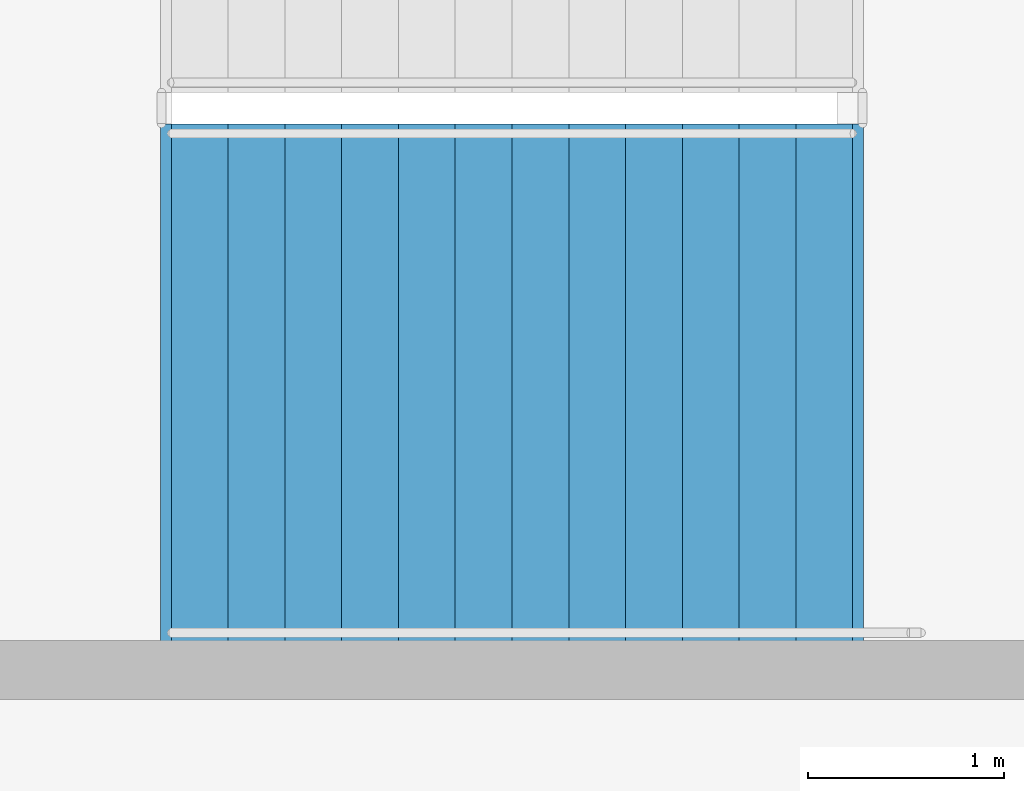
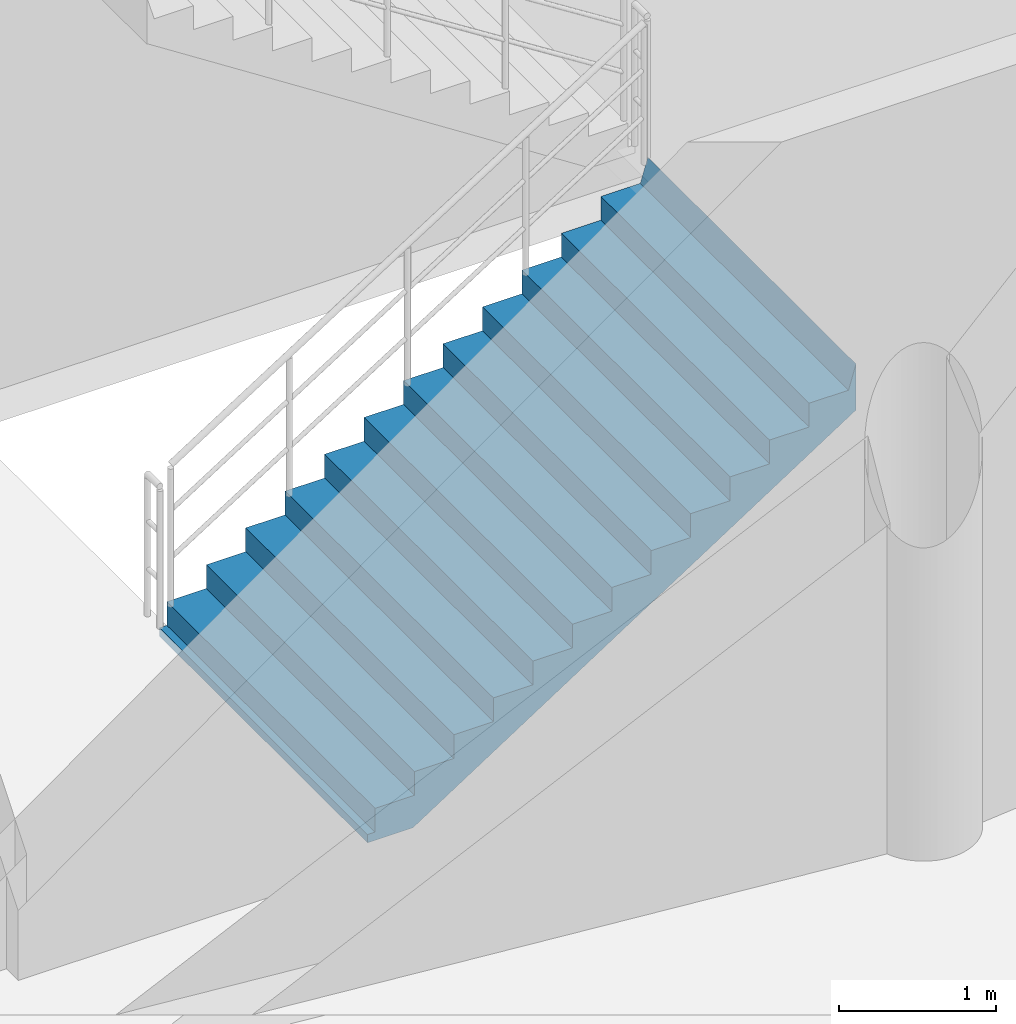
# One storey, part 116 of 144: 1 stair flight, 1 element without a shape of its own.
"""IFC4 building model written with IfcOpenShell, lengths in metres."""

from ifc_helpers import new_model, si_unit, direction, frame, origin, place, context, subcontext, project, spatial, polyline, outline, extrude, material, type_object, element, aggregate, save


model = new_model("IFC4")

# Units and contexts
model_context = context("Model", 3, precision=1e-05, world=origin(), true_north=direction((0.0, 1.0)))
body_context = subcontext(model_context, "Body", "Model", "MODEL_VIEW")
ifc_project = project(units=[si_unit("LENGTHUNIT", "METRE"), si_unit("AREAUNIT", "SQUARE_METRE"), si_unit("VOLUMEUNIT", "CUBIC_METRE"), si_unit("PLANEANGLEUNIT", "RADIAN"), si_unit("MASSUNIT", "GRAM", prefix="KILO")], contexts=[model_context])

# Site, building, storey
site_placement = place(None, origin())
site = spatial("IfcSite", under=ifc_project, at=site_placement, CompositionType="ELEMENT")
building_placement = place(site_placement, origin())
building = spatial("IfcBuilding", under=site, at=building_placement, Name="Cinderbank Siding Concert Hall", CompositionType="ELEMENT")
storey_placement = place(building_placement, frame((0.0, 0.0, 5.39990234375)))
storey = spatial("IfcBuildingStorey", under=building, at=storey_placement, Name="L02", CompositionType="ELEMENT", Elevation=5.39990234375)

# Stair, stair flight
ifc_material = material(Name="Reinforced concrete AS 3600 N50 (50 MPa)", Category="concrete")
stair_type = type_object("IfcStairType", Name="STR-A Dogleg Exit Stair 2650mm", PredefinedType="HALF_TURN_STAIR", material=ifc_material)
stair_placement = place(storey_placement, origin())
stair = element("IfcStair", 1, at=stair_placement, inside=storey, type_object=stair_type, Name="L02 Fire-isolated Exit Stair ST-02", PredefinedType="HALF_TURN_STAIR")
stair_flight_type = type_object("IfcStairFlightType", Name="SFL-A Concrete Stair Flight 2650mm", PredefinedType="STRAIGHT", material=ifc_material)
stair_flight_placement = place(storey_placement, frame((118.949951171875, 25.02490234375, 0.0), z_axis=(0.0, 0.0, 1.0), x_axis=(1.0, 0.0, 0.0)))
stair_flight = element("IfcStairFlight", 2, at=stair_flight_placement, type_object=stair_flight_type, Name="ST-02 flight 1", NumberOfRisers=13, NumberOfTreads=12, PredefinedType="STRAIGHT", RiserHeight=0.184615385, TreadLength=0.29, context=body_context, shape_type="SweptSolid", body=[
    extrude(outline(polyline([(0.0, 0.0), (0.0, 0.1845703125), (0.2900390625, 0.1845703125), (0.2900390625, 0.369140625), (0.580078125, 0.369140625), (0.580078125, 0.553955078125), (0.8701171875, 0.553955078125), (0.8701171875, 0.738525390625), (1.159912109375, 0.738525390625), (1.159912109375, 0.923095703125), (1.449951171875, 0.923095703125), (1.449951171875, 1.107666015625), (1.739990234375, 1.107666015625), (1.739990234375, 1.292236328125), (2.030029296875, 1.292236328125), (2.030029296875, 1.476806640625), (2.320068359375, 1.476806640625), (2.320068359375, 1.66162109375), (2.610107421875, 1.66162109375), (2.610107421875, 1.84619140625), (2.89990234375, 1.84619140625), (2.89990234375, 2.03076171875), (3.18994140625, 2.03076171875), (3.18994140625, 2.21533203125), (3.47998046875, 2.21533203125), (3.534912109375, 2.39990234375), (3.534912109375, 2.03759765625), (3.53466796875, 2.037841796875), (3.53466796875, 2.0380859375), (3.53466796875, 2.038330078125), (3.53466796875, 2.03857421875), (3.53466796875, 2.038818359375), (3.53466796875, 2.0390625), (3.53466796875, 2.039306640625), (3.53466796875, 2.03955078125), (3.53466796875, 2.039794921875), (3.53466796875, 2.0400390625), (3.53466796875, 2.040283203125), (3.53466796875, 2.04052734375), (3.534423828125, 2.04052734375), (3.534423828125, 2.040283203125), (3.534423828125, 2.0400390625), (3.534423828125, 2.039794921875), (3.534423828125, 2.03955078125), (3.534423828125, 2.039306640625), (3.534423828125, 2.0390625), (3.534423828125, 2.038818359375), (3.534423828125, 2.03857421875), (3.534423828125, 2.038330078125), (3.534423828125, 2.0380859375), (3.534423828125, 2.037841796875), (3.534423828125, 2.03759765625), (3.5341796875, 2.037841796875), (3.5341796875, 2.0380859375), (3.5341796875, 2.038330078125), (3.5341796875, 2.03857421875), (3.5341796875, 2.038818359375), (3.5341796875, 2.0390625), (3.5341796875, 2.039306640625), (3.5341796875, 2.03955078125), (3.5341796875, 2.039794921875), (3.5341796875, 2.0400390625), (3.5341796875, 2.040283203125), (3.5341796875, 2.04052734375), (3.533935546875, 2.04052734375), (3.533935546875, 2.040283203125), (3.533935546875, 2.0400390625), (3.533935546875, 2.039794921875), (3.533935546875, 2.03955078125), (3.533935546875, 2.039306640625), (3.533935546875, 2.0390625), (3.533935546875, 2.038818359375), (3.533935546875, 2.03857421875), (3.533935546875, 2.038330078125), (3.533935546875, 2.0380859375), (3.533935546875, 2.037841796875), (3.533935546875, 2.03759765625), (3.53369140625, 2.037841796875), (3.53369140625, 2.0380859375), (3.53369140625, 2.038330078125), (3.53369140625, 2.03857421875), (3.53369140625, 2.038818359375), (3.53369140625, 2.0390625), (3.53369140625, 2.039306640625), (3.53369140625, 2.03955078125), (3.53369140625, 2.039794921875), (3.53369140625, 2.0400390625), (3.53369140625, 2.040283203125), (3.53369140625, 2.04052734375), (3.533447265625, 2.04052734375), (3.533447265625, 2.040283203125), (3.533447265625, 2.0400390625), (3.533447265625, 2.039794921875), (3.533447265625, 2.03955078125), (3.533447265625, 2.039306640625), (3.533447265625, 2.0390625), (3.533447265625, 2.038818359375), (3.533447265625, 2.03857421875), (3.533447265625, 2.038330078125), (3.533447265625, 2.0380859375), (3.533447265625, 2.037841796875), (3.533447265625, 2.03759765625), (3.533203125, 2.037841796875), (3.533203125, 2.0380859375), (3.533203125, 2.038330078125), (3.533203125, 2.03857421875), (3.533203125, 2.038818359375), (3.533203125, 2.0390625), (3.533203125, 2.039306640625), (3.533203125, 2.03955078125), (3.533203125, 2.039794921875), (3.533203125, 2.0400390625), (3.533203125, 2.040283203125), (3.533203125, 2.04052734375), (3.532958984375, 2.04052734375), (3.532958984375, 2.040283203125), (3.532958984375, 2.0400390625), (3.532958984375, 2.039794921875), (3.532958984375, 2.03955078125), (3.532958984375, 2.039306640625), (3.532958984375, 2.0390625), (3.532958984375, 2.038818359375), (3.532958984375, 2.03857421875), (3.532958984375, 2.038330078125), (3.532958984375, 2.0380859375), (3.532958984375, 2.037841796875), (3.532958984375, 2.03759765625), (3.53271484375, 2.037841796875), (3.53271484375, 2.0380859375), (3.53271484375, 2.038330078125), (3.53271484375, 2.03857421875), (3.53271484375, 2.038818359375), (3.53271484375, 2.0390625), (3.53271484375, 2.039306640625), (3.53271484375, 2.03955078125), (3.53271484375, 2.039794921875), (3.53271484375, 2.0400390625), (3.53271484375, 2.040283203125), (3.53271484375, 2.04052734375), (3.532470703125, 2.04052734375), (3.532470703125, 2.040283203125), (3.532470703125, 2.0400390625), (3.532470703125, 2.039794921875), (3.532470703125, 2.03955078125), (3.532470703125, 2.039306640625), (3.532470703125, 2.0390625), (3.532470703125, 2.038818359375), (3.532470703125, 2.03857421875), (3.532470703125, 2.038330078125), (3.532470703125, 2.0380859375), (3.532470703125, 2.037841796875), (3.532470703125, 2.03759765625), (3.5322265625, 2.037841796875), (3.5322265625, 2.0380859375), (3.5322265625, 2.038330078125), (3.5322265625, 2.03857421875), (3.5322265625, 2.038818359375), (3.5322265625, 2.0390625), (3.5322265625, 2.039306640625), (3.5322265625, 2.03955078125), (3.5322265625, 2.039794921875), (3.5322265625, 2.0400390625), (3.5322265625, 2.040283203125), (3.5322265625, 2.04052734375), (3.531982421875, 2.04052734375), (3.531982421875, 2.040283203125), (3.531982421875, 2.0400390625), (3.531982421875, 2.039794921875), (3.531982421875, 2.03955078125), (3.531982421875, 2.039306640625), (3.531982421875, 2.0390625), (3.531982421875, 2.038818359375), (3.531982421875, 2.03857421875), (3.531982421875, 2.038330078125), (3.531982421875, 2.0380859375), (3.531982421875, 2.037841796875), (3.531982421875, 2.03759765625), (3.53173828125, 2.037841796875), (3.53173828125, 2.0380859375), (3.53173828125, 2.038330078125), (3.53173828125, 2.03857421875), (3.53173828125, 2.038818359375), (3.53173828125, 2.0390625), (3.53173828125, 2.039306640625), (3.53173828125, 2.03955078125), (3.53173828125, 2.039794921875), (3.53173828125, 2.0400390625), (3.53173828125, 2.040283203125), (3.53173828125, 2.04052734375), (3.531494140625, 2.04052734375), (3.531494140625, 2.040283203125), (3.531494140625, 2.0400390625), (3.531494140625, 2.039794921875), (3.531494140625, 2.03955078125), (3.531494140625, 2.039306640625), (3.531494140625, 2.0390625), (3.531494140625, 2.038818359375), (3.531494140625, 2.03857421875), (3.531494140625, 2.038330078125), (3.531494140625, 2.0380859375), (3.531494140625, 2.037841796875), (3.531494140625, 2.03759765625), (3.53125, 2.037841796875), (3.53125, 2.0380859375), (3.53125, 2.038330078125), (3.53125, 2.03857421875), (3.53125, 2.038818359375), (3.53125, 2.0390625), (3.53125, 2.039306640625), (3.53125, 2.03955078125), (3.53125, 2.039794921875), (3.53125, 2.0400390625), (3.53125, 2.040283203125), (3.53125, 2.04052734375), (3.531005859375, 2.04052734375), (3.531005859375, 2.040283203125), (3.531005859375, 2.0400390625), (3.531005859375, 2.039794921875), (3.531005859375, 2.03955078125), (3.531005859375, 2.039306640625), (3.531005859375, 2.0390625), (3.531005859375, 2.038818359375), (3.531005859375, 2.03857421875), (3.531005859375, 2.038330078125), (3.531005859375, 2.0380859375), (3.531005859375, 2.037841796875), (3.531005859375, 2.03759765625), (3.53076171875, 2.037841796875), (3.53076171875, 2.0380859375), (3.53076171875, 2.038330078125), (3.53076171875, 2.03857421875), (3.53076171875, 2.038818359375), (3.53076171875, 2.0390625), (3.53076171875, 2.039306640625), (3.53076171875, 2.03955078125), (3.53076171875, 2.039794921875), (3.53076171875, 2.0400390625), (3.53076171875, 2.040283203125), (3.53076171875, 2.04052734375), (3.530517578125, 2.04052734375), (3.530517578125, 2.040283203125), (3.530517578125, 2.0400390625), (3.530517578125, 2.039794921875), (3.530517578125, 2.03955078125), (3.530517578125, 2.039306640625), (3.530517578125, 2.0390625), (3.530517578125, 2.038818359375), (3.530517578125, 2.03857421875), (3.530517578125, 2.038330078125), (3.530517578125, 2.0380859375), (3.530517578125, 2.037841796875), (3.530517578125, 2.03759765625), (3.5302734375, 2.037841796875), (3.5302734375, 2.0380859375), (3.5302734375, 2.038330078125), (3.5302734375, 2.03857421875), (3.5302734375, 2.038818359375), (3.5302734375, 2.0390625), (3.5302734375, 2.039306640625), (3.5302734375, 2.03955078125), (3.5302734375, 2.039794921875), (3.5302734375, 2.0400390625), (3.5302734375, 2.040283203125), (3.5302734375, 2.04052734375), (3.530029296875, 2.04052734375), (3.530029296875, 2.040283203125), (3.530029296875, 2.0400390625), (3.530029296875, 2.039794921875), (3.530029296875, 2.03955078125), (3.530029296875, 2.039306640625), (3.530029296875, 2.0390625), (3.530029296875, 2.038818359375), (3.530029296875, 2.03857421875), (3.530029296875, 2.038330078125), (3.530029296875, 2.0380859375), (3.530029296875, 2.037841796875), (3.530029296875, 2.03759765625), (3.52978515625, 2.037841796875), (3.52978515625, 2.0380859375), (3.52978515625, 2.038330078125), (3.52978515625, 2.03857421875), (3.52978515625, 2.038818359375), (3.52978515625, 2.0390625), (3.52978515625, 2.039306640625), (3.52978515625, 2.03955078125), (3.52978515625, 2.039794921875), (3.52978515625, 2.0400390625), (3.52978515625, 2.040283203125), (3.52978515625, 2.04052734375), (3.529541015625, 2.04052734375), (3.529541015625, 2.040283203125), (3.529541015625, 2.0400390625), (3.529541015625, 2.039794921875), (3.529541015625, 2.03955078125), (3.529541015625, 2.039306640625), (3.529541015625, 2.0390625), (3.529541015625, 2.038818359375), (3.529541015625, 2.03857421875), (3.529541015625, 2.038330078125), (3.529541015625, 2.0380859375), (3.529541015625, 2.037841796875), (3.529541015625, 2.03759765625), (3.529296875, 2.037841796875), (3.529296875, 2.0380859375), (3.529296875, 2.038330078125), (3.529296875, 2.03857421875), (3.529296875, 2.038818359375), (3.529296875, 2.0390625), (3.529296875, 2.039306640625), (3.529296875, 2.03955078125), (3.529296875, 2.039794921875), (3.529296875, 2.0400390625), (3.529296875, 2.040283203125), (3.529296875, 2.04052734375), (3.529052734375, 2.04052734375), (3.529052734375, 2.040283203125), (3.529052734375, 2.0400390625), (3.529052734375, 2.039794921875), (3.529052734375, 2.03955078125), (3.529052734375, 2.039306640625), (3.529052734375, 2.0390625), (3.529052734375, 2.038818359375), (3.529052734375, 2.03857421875), (3.529052734375, 2.038330078125), (3.529052734375, 2.0380859375), (3.529052734375, 2.037841796875), (3.529052734375, 2.03759765625), (3.52880859375, 2.037841796875), (3.52880859375, 2.0380859375), (3.52880859375, 2.038330078125), (3.52880859375, 2.03857421875), (3.52880859375, 2.038818359375), (3.52880859375, 2.0390625), (3.52880859375, 2.039306640625), (3.52880859375, 2.03955078125), (3.52880859375, 2.039794921875), (3.52880859375, 2.0400390625), (3.52880859375, 2.040283203125), (3.52880859375, 2.04052734375), (3.528564453125, 2.04052734375), (3.528564453125, 2.040283203125), (3.528564453125, 2.0400390625), (3.528564453125, 2.039794921875), (3.528564453125, 2.03955078125), (3.528564453125, 2.039306640625), (3.528564453125, 2.0390625), (3.528564453125, 2.038818359375), (3.528564453125, 2.03857421875), (3.528564453125, 2.038330078125), (3.528564453125, 2.0380859375), (3.528564453125, 2.037841796875), (3.528564453125, 2.03759765625), (0.279052734375, -0.06396484375), (-0.048583984375, -0.063720703125), (-0.048583984375, -0.0634765625), (-0.048583984375, -0.063232421875), (-0.048583984375, -0.06298828125), (-0.048583984375, -0.062744140625), (-0.048583984375, -0.0625), (-0.048583984375, -0.062255859375), (-0.048583984375, -0.06201171875), (-0.048583984375, -0.061767578125), (-0.048583984375, -0.0615234375), (-0.048583984375, -0.061279296875), (-0.048583984375, -0.06103515625), (-0.048828125, -0.06103515625), (-0.048828125, -0.061279296875), (-0.048828125, -0.0615234375), (-0.048828125, -0.061767578125), (-0.048828125, -0.06201171875), (-0.048828125, -0.062255859375), (-0.048828125, -0.0625), (-0.048828125, -0.062744140625), (-0.048828125, -0.06298828125), (-0.048828125, -0.063232421875), (-0.048828125, -0.0634765625), (-0.048828125, -0.063720703125), (-0.048828125, -0.06396484375), (-0.049072265625, -0.063720703125), (-0.049072265625, -0.0634765625), (-0.049072265625, -0.063232421875), (-0.049072265625, -0.06298828125), (-0.049072265625, -0.062744140625), (-0.049072265625, -0.0625), (-0.049072265625, -0.062255859375), (-0.049072265625, -0.06201171875), (-0.049072265625, -0.061767578125), (-0.049072265625, -0.0615234375), (-0.049072265625, -0.061279296875), (-0.049072265625, -0.06103515625), (-0.04931640625, -0.06103515625), (-0.04931640625, -0.061279296875), (-0.04931640625, -0.0615234375), (-0.04931640625, -0.061767578125), (-0.04931640625, -0.06201171875), (-0.04931640625, -0.062255859375), (-0.04931640625, -0.0625), (-0.04931640625, -0.062744140625), (-0.04931640625, -0.06298828125), (-0.04931640625, -0.063232421875), (-0.04931640625, -0.0634765625), (-0.04931640625, -0.063720703125), (-0.04931640625, -0.06396484375), (-0.049560546875, -0.063720703125), (-0.049560546875, -0.0634765625), (-0.049560546875, -0.063232421875), (-0.049560546875, -0.06298828125), (-0.049560546875, -0.062744140625), (-0.049560546875, -0.0625), (-0.049560546875, -0.062255859375), (-0.049560546875, -0.06201171875), (-0.049560546875, -0.061767578125), (-0.049560546875, -0.0615234375), (-0.049560546875, -0.061279296875), (-0.049560546875, -0.06103515625), (-0.0498046875, -0.06103515625), (-0.0498046875, -0.061279296875), (-0.0498046875, -0.0615234375), (-0.0498046875, -0.061767578125), (-0.0498046875, -0.06201171875), (-0.0498046875, -0.062255859375), (-0.0498046875, -0.0625), (-0.0498046875, -0.062744140625), (-0.0498046875, -0.06298828125), (-0.0498046875, -0.063232421875), (-0.0498046875, -0.0634765625), (-0.0498046875, -0.063720703125), (-0.0498046875, -0.06396484375), (-0.050048828125, -0.063720703125), (-0.050048828125, -0.0634765625), (-0.050048828125, -0.063232421875), (-0.050048828125, -0.06298828125), (-0.050048828125, -0.062744140625), (-0.050048828125, -0.0625), (-0.050048828125, -0.062255859375), (-0.050048828125, -0.06201171875), (-0.050048828125, -0.061767578125), (-0.050048828125, -0.0615234375), (-0.050048828125, -0.061279296875), (-0.050048828125, -0.06103515625), (-0.05029296875, -0.06103515625), (-0.05029296875, -0.061279296875), (-0.05029296875, -0.0615234375), (-0.05029296875, -0.061767578125), (-0.05029296875, -0.06201171875), (-0.05029296875, -0.062255859375), (-0.05029296875, -0.0625), (-0.05029296875, -0.062744140625), (-0.05029296875, -0.06298828125), (-0.05029296875, -0.063232421875), (-0.05029296875, -0.0634765625), (-0.05029296875, -0.063720703125), (-0.05029296875, -0.06396484375), (-0.050537109375, -0.063720703125), (-0.050537109375, -0.0634765625), (-0.050537109375, -0.063232421875), (-0.050537109375, -0.06298828125), (-0.050537109375, -0.062744140625), (-0.050537109375, -0.0625), (-0.050537109375, -0.062255859375), (-0.050537109375, -0.06201171875), (-0.050537109375, -0.061767578125), (-0.050537109375, -0.0615234375), (-0.050537109375, -0.061279296875), (-0.050537109375, -0.06103515625), (-0.05078125, -0.06103515625), (-0.05078125, -0.061279296875), (-0.05078125, -0.0615234375), (-0.05078125, -0.061767578125), (-0.05078125, -0.06201171875), (-0.05078125, -0.062255859375), (-0.05078125, -0.0625), (-0.05078125, -0.062744140625), (-0.05078125, -0.06298828125), (-0.05078125, -0.063232421875), (-0.05078125, -0.0634765625), (-0.05078125, -0.063720703125), (-0.05078125, -0.06396484375), (-0.051025390625, -0.063720703125), (-0.051025390625, -0.0634765625), (-0.051025390625, -0.063232421875), (-0.051025390625, -0.06298828125), (-0.051025390625, -0.062744140625), (-0.051025390625, -0.0625), (-0.051025390625, -0.062255859375), (-0.051025390625, -0.06201171875), (-0.051025390625, -0.061767578125), (-0.051025390625, -0.0615234375), (-0.051025390625, -0.061279296875), (-0.051025390625, -0.06103515625), (-0.05126953125, -0.06103515625), (-0.05126953125, -0.061279296875), (-0.05126953125, -0.0615234375), (-0.05126953125, -0.061767578125), (-0.05126953125, -0.06201171875), (-0.05126953125, -0.062255859375), (-0.05126953125, -0.0625), (-0.05126953125, -0.062744140625), (-0.05126953125, -0.06298828125), (-0.05126953125, -0.063232421875), (-0.05126953125, -0.0634765625), (-0.05126953125, -0.063720703125), (-0.05126953125, -0.06396484375), (-0.051513671875, -0.063720703125), (-0.051513671875, -0.0634765625), (-0.051513671875, -0.063232421875), (-0.051513671875, -0.06298828125), (-0.051513671875, -0.062744140625), (-0.051513671875, -0.0625), (-0.051513671875, -0.062255859375), (-0.051513671875, -0.06201171875), (-0.051513671875, -0.061767578125), (-0.051513671875, -0.0615234375), (-0.051513671875, -0.061279296875), (-0.051513671875, -0.06103515625), (-0.0517578125, -0.06103515625), (-0.0517578125, -0.061279296875), (-0.0517578125, -0.0615234375), (-0.0517578125, -0.061767578125), (-0.0517578125, -0.06201171875), (-0.0517578125, -0.062255859375), (-0.0517578125, -0.0625), (-0.0517578125, -0.062744140625), (-0.0517578125, -0.06298828125), (-0.0517578125, -0.063232421875), (-0.0517578125, -0.0634765625), (-0.0517578125, -0.063720703125), (-0.0517578125, -0.06396484375), (-0.052001953125, -0.063720703125), (-0.052001953125, -0.0634765625), (-0.052001953125, -0.063232421875), (-0.052001953125, -0.06298828125), (-0.052001953125, -0.062744140625), (-0.052001953125, -0.0625), (-0.052001953125, -0.062255859375), (-0.052001953125, -0.06201171875), (-0.052001953125, -0.061767578125), (-0.052001953125, -0.0615234375), (-0.052001953125, -0.061279296875), (-0.052001953125, -0.06103515625), (-0.05224609375, -0.06103515625), (-0.05224609375, -0.061279296875), (-0.05224609375, -0.0615234375), (-0.05224609375, -0.061767578125), (-0.05224609375, -0.06201171875), (-0.05224609375, -0.062255859375), (-0.05224609375, -0.0625), (-0.05224609375, -0.062744140625), (-0.05224609375, -0.06298828125), (-0.05224609375, -0.063232421875), (-0.05224609375, -0.0634765625), (-0.05224609375, -0.063720703125), (-0.05224609375, -0.06396484375), (-0.052490234375, -0.063720703125), (-0.052490234375, -0.0634765625), (-0.052490234375, -0.063232421875), (-0.052490234375, -0.06298828125), (-0.052490234375, -0.062744140625), (-0.052490234375, -0.0625), (-0.052490234375, -0.062255859375), (-0.052490234375, -0.06201171875), (-0.052490234375, -0.061767578125), (-0.052490234375, -0.0615234375), (-0.052490234375, -0.061279296875), (-0.052490234375, -0.06103515625), (-0.052734375, -0.06103515625), (-0.052734375, -0.061279296875), (-0.052734375, -0.0615234375), (-0.052734375, -0.061767578125), (-0.052734375, -0.06201171875), (-0.052734375, -0.062255859375), (-0.052734375, -0.0625), (-0.052734375, -0.062744140625), (-0.052734375, -0.06298828125), (-0.052734375, -0.063232421875), (-0.052734375, -0.0634765625), (-0.052734375, -0.063720703125), (-0.052734375, -0.06396484375), (-0.052978515625, -0.063720703125), (-0.052978515625, -0.0634765625), (-0.052978515625, -0.063232421875), (-0.052978515625, -0.06298828125), (-0.052978515625, -0.062744140625), (-0.052978515625, -0.0625), (-0.052978515625, -0.062255859375), (-0.052978515625, -0.06201171875), (-0.052978515625, -0.061767578125), (-0.052978515625, -0.0615234375), (-0.052978515625, -0.061279296875), (-0.052978515625, -0.06103515625), (-0.05322265625, -0.06103515625), (-0.05322265625, -0.061279296875), (-0.05322265625, -0.0615234375), (-0.05322265625, -0.061767578125), (-0.05322265625, -0.06201171875), (-0.05322265625, -0.062255859375), (-0.05322265625, -0.0625), (-0.05322265625, -0.062744140625), (-0.05322265625, -0.06298828125), (-0.05322265625, -0.063232421875), (-0.05322265625, -0.0634765625), (-0.05322265625, -0.063720703125), (-0.05322265625, -0.06396484375), (-0.053466796875, -0.063720703125), (-0.053466796875, -0.0634765625), (-0.053466796875, -0.063232421875), (-0.053466796875, -0.06298828125), (-0.053466796875, -0.062744140625), (-0.053466796875, -0.0625), (-0.053466796875, -0.062255859375), (-0.053466796875, -0.06201171875), (-0.053466796875, -0.061767578125), (-0.053466796875, -0.0615234375), (-0.053466796875, -0.061279296875), (-0.053466796875, -0.06103515625), (-0.0537109375, -0.06103515625), (-0.0537109375, -0.061279296875), (-0.0537109375, -0.0615234375), (-0.0537109375, -0.061767578125), (-0.0537109375, -0.06201171875), (-0.0537109375, -0.062255859375), (-0.0537109375, -0.0625), (-0.0537109375, -0.062744140625), (-0.0537109375, -0.06298828125), (-0.0537109375, -0.063232421875), (-0.0537109375, -0.0634765625), (-0.0537109375, -0.063720703125), (-0.0537109375, -0.06396484375), (-0.053955078125, -0.063720703125), (-0.053955078125, -0.0634765625), (-0.053955078125, -0.063232421875), (-0.053955078125, -0.06298828125), (-0.053955078125, -0.062744140625), (-0.053955078125, -0.0625), (-0.053955078125, -0.062255859375), (-0.053955078125, -0.06201171875), (-0.053955078125, -0.061767578125), (-0.053955078125, -0.0615234375), (-0.053955078125, -0.061279296875), (-0.053955078125, -0.06103515625), (-0.05419921875, -0.06103515625), (-0.05419921875, -0.061279296875), (-0.05419921875, -0.0615234375), (-0.05419921875, -0.061767578125), (-0.05419921875, -0.06201171875), (-0.05419921875, -0.062255859375), (-0.05419921875, -0.0625), (-0.05419921875, -0.062744140625), (-0.05419921875, -0.06298828125), (-0.05419921875, -0.063232421875), (-0.05419921875, -0.0634765625), (-0.05419921875, -0.063720703125), (-0.05419921875, -0.06396484375), (-0.054443359375, -0.063720703125), (-0.054443359375, -0.0634765625), (-0.054443359375, -0.063232421875), (-0.054443359375, -0.06298828125), (-0.054443359375, -0.062744140625), (-0.054443359375, -0.0625), (-0.054443359375, -0.062255859375), (-0.054443359375, -0.06201171875), (-0.054443359375, -0.061767578125), (-0.054443359375, -0.0615234375), (-0.054443359375, -0.061279296875), (-0.054443359375, -0.06103515625), (-0.0546875, -0.06103515625), (-0.0546875, -0.061279296875), (-0.0546875, -0.0615234375), (-0.0546875, -0.061767578125), (-0.0546875, -0.06201171875), (-0.0546875, -0.062255859375), (-0.0546875, -0.0625), (-0.0546875, -0.062744140625), (-0.0546875, -0.06298828125), (-0.0546875, -0.063232421875), (-0.0546875, -0.0634765625), (-0.0546875, -0.063720703125), (-0.0546875, -0.06396484375), (-0.054931640625, -0.06396484375), (-0.054931640625, 0.0), (0.0, 0.0)])), frame((0.0, 1.324951171875, 0.0), z_axis=(0.0, -1.0, 0.0), x_axis=(1.0, 0.0, 0.0)), (0.0, 0.0, 1.0), 2.64990234375),
])
aggregate(stair, [stair_flight])

save(model, "model.ifc")
